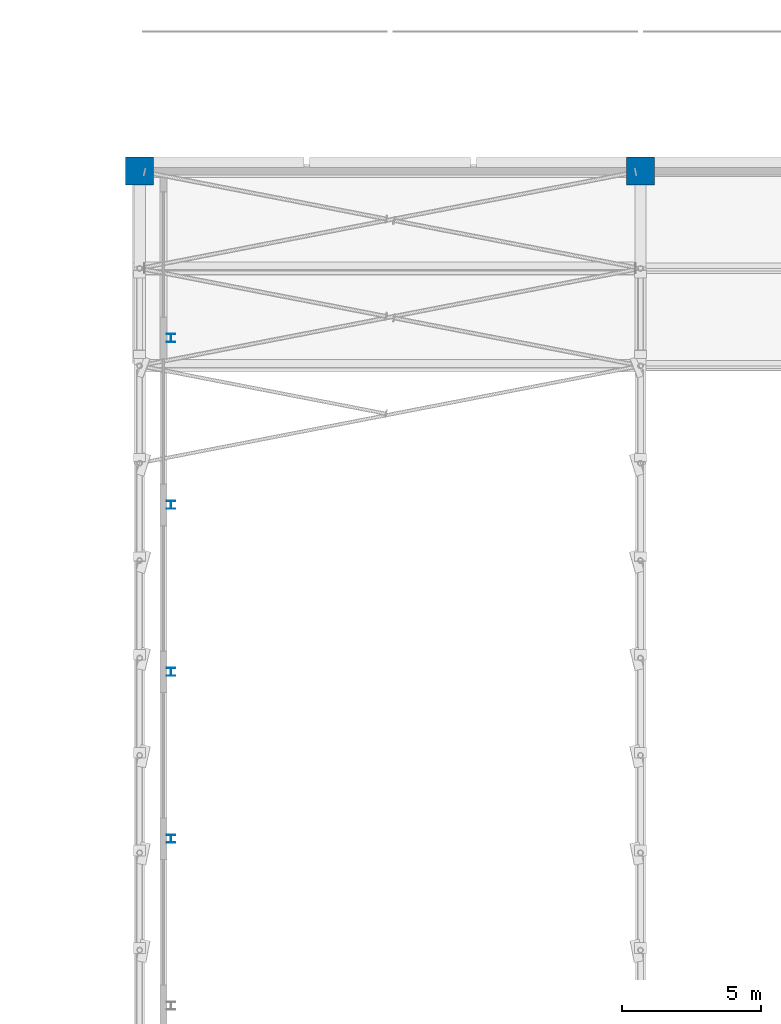
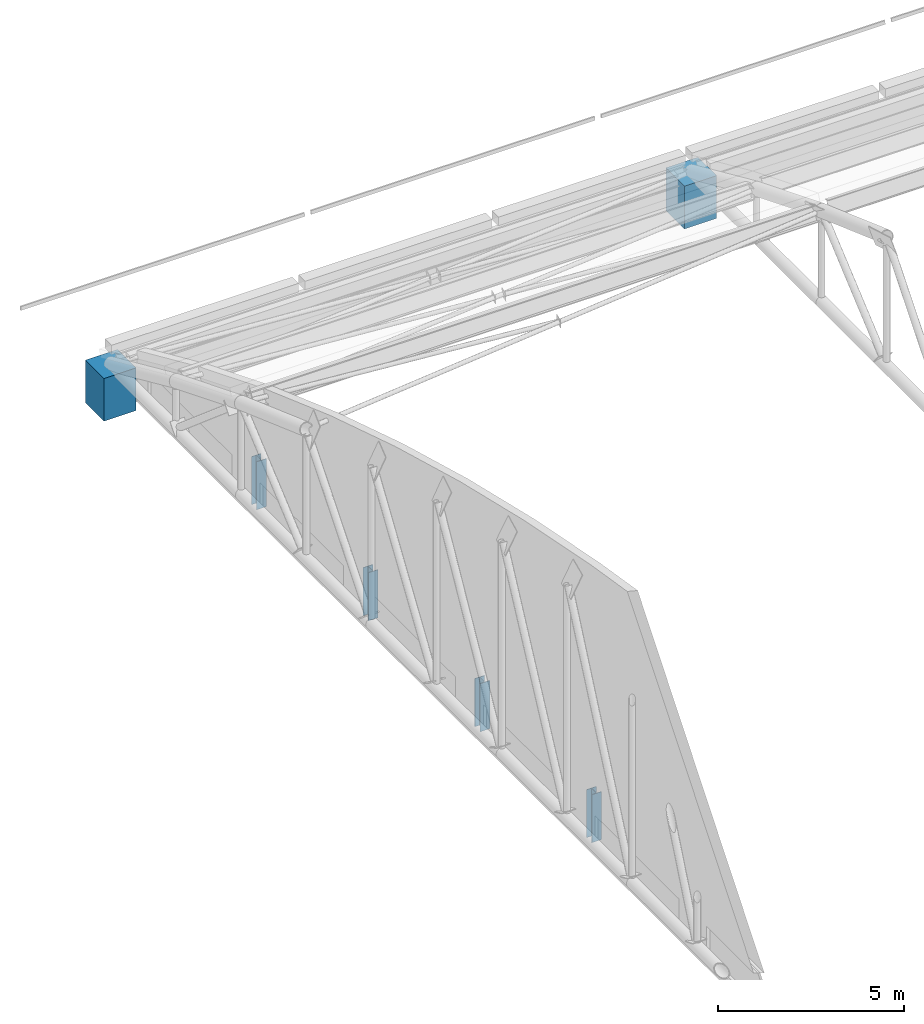
# One storey, part 18 of 196: 6 columns.
"""IFC4 building model written with IfcOpenShell, lengths in metres."""

from ifc_helpers import new_model, si_unit, direction, frame, origin, origin_2d, place, context, subcontext, project, spatial, rectangle, i_section, extrude, material, material_profile, profile_set, type_object, element, save


model = new_model("IFC4")

# Units and contexts
model_context = context("Model", 3, precision=1e-05, world=origin(), true_north=direction((0.0, 1.0)))
body_context = subcontext(model_context, "Body", "Model", "MODEL_VIEW")
ifc_project = project(units=[si_unit("LENGTHUNIT", "METRE"), si_unit("AREAUNIT", "SQUARE_METRE"), si_unit("VOLUMEUNIT", "CUBIC_METRE"), si_unit("PLANEANGLEUNIT", "RADIAN"), si_unit("MASSUNIT", "GRAM", prefix="KILO")], contexts=[model_context])

# Site, building, storey
site_placement = place(None, origin())
site = spatial("IfcSite", under=ifc_project, at=site_placement, CompositionType="ELEMENT")
building_placement = place(site_placement, origin())
building = spatial("IfcBuilding", under=site, at=building_placement, Name="Okhra Congress Centre", CompositionType="ELEMENT")
storey_placement = place(building_placement, frame((0.0, 0.0, 12.0)))
storey = spatial("IfcBuildingStorey", under=building, at=storey_placement, Name="L02", CompositionType="ELEMENT", Elevation=12.0)

# Columns
ifc_material_1 = material(Name="Steel S355J2", Category="steel")
ifc_material_profile_1 = material_profile(ifc_material_1, i_section(OverallWidth=0.300048828125, OverallDepth=0.2900390625, WebThickness=0.008544921875, FlangeThickness=0.013916015625, at=origin_2d()), Name="HE 300 A")
ifc_profile_set_1 = profile_set([ifc_material_profile_1], Name="Steel S355J2")
column_type_1 = type_object("IfcColumnType", Name="HE 300 A", PredefinedType="COLUMN", material=ifc_profile_set_1)
for number, where, z_axis, x_axis, name in (
    (1, (29.125, 192.0, 0.0), (0.0, 0.0, 1.0), (1.0, 0.0, 0.0), "EH.COL.L02.WP33"),
    (2, (29.125, 198.0, 0.0), (0.0, 0.0, 1.0), (1.0, 0.0, 0.0), "EH.COL.L02.WP35"),
    (3, (29.125, 204.0, 0.0), (0.0, 0.0, 1.0), (1.0, 0.0, 0.0), "EH.COL.L02.WP37"),
    (4, (29.125, 210.0, 0.0), (0.0, 0.0, 1.0), (1.0, 0.0, 0.0), "EH.COL.L02.WP39"),
):
    element("IfcColumn", number, at=place(storey_placement, frame(where, z_axis=z_axis, x_axis=x_axis)), inside=storey, type_object=column_type_1, Name=name, PredefinedType="COLUMN", context=body_context, shape_type="SweptSolid", body=[
        extrude(i_section(OverallWidth=0.300048828125, OverallDepth=0.2900390625, WebThickness=0.008544921875, FlangeThickness=0.013916015625, at=origin_2d()), origin(), (0.0, 0.0, 1.0), 1.57666015625),
    ])
ifc_material_2 = material(Name="Concrete C40/50", Category="concrete")
ifc_material_profile_2 = material_profile(ifc_material_2, rectangle(XDim=1.0, YDim=1.0, at=origin_2d()), Name="RC 1000x1000")
ifc_profile_set_2 = profile_set([ifc_material_profile_2], Name="Concrete C40/50")
column_type_2 = type_object("IfcColumnType", Name="RC column 1000x1000 C40/50", PredefinedType="COLUMN", material=ifc_profile_set_2)
for number, where, z_axis, x_axis, name in (
    (5, (28.0, 216.0, 0.0), (0.0, 0.0, 1.0), (1.0, 0.0, 0.0), "EH.COL.L02.SC2"),
    (6, (46.0, 216.0, 0.0), (0.0, 0.0, 1.0), (1.0, 0.0, 0.0), "EH.COL.L02.SC4"),
):
    element("IfcColumn", number, at=place(storey_placement, frame(where, z_axis=z_axis, x_axis=x_axis)), inside=storey, type_object=column_type_2, Name=name, PredefinedType="COLUMN", context=body_context, shape_type="SweptSolid", body=[
        extrude(rectangle(XDim=1.0, YDim=1.0, at=origin_2d()), origin(), (0.0, 0.0, 1.0), 1.39990234375),
    ])

save(model, "model.ifc")
